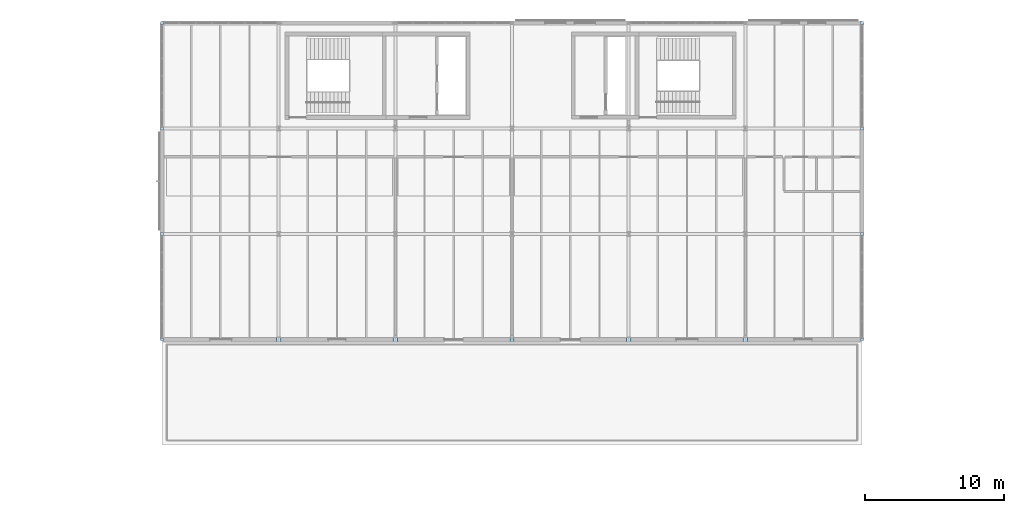
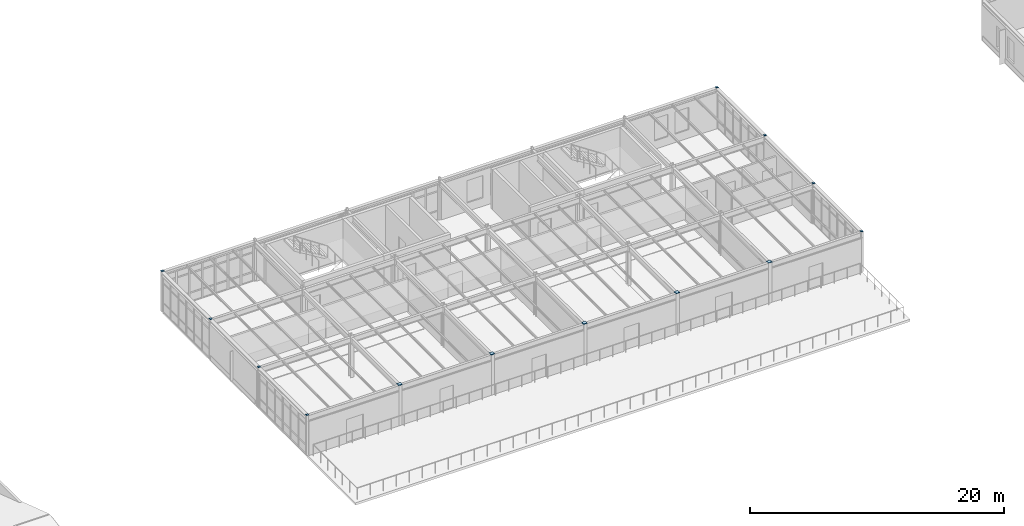
# One storey, part 47 of 65: 13 plates.
"""IFC4 building model written with IfcOpenShell, lengths in metres."""

from ifc_helpers import new_model, si_unit, direction, frame, origin, origin_2d, place, context, subcontext, project, spatial, rectangle, extrude, material, layer, layer_set, type_object, element, save


model = new_model("IFC4")

# Units and contexts
model_context = context("Model", 3, precision=1e-05, world=origin(), true_north=direction((0.0, 1.0)))
body_context = subcontext(model_context, "Body", "Model", "MODEL_VIEW")
ifc_project = project(units=[si_unit("LENGTHUNIT", "METRE"), si_unit("AREAUNIT", "SQUARE_METRE"), si_unit("VOLUMEUNIT", "CUBIC_METRE"), si_unit("PLANEANGLEUNIT", "RADIAN"), si_unit("MASSUNIT", "GRAM", prefix="KILO")], contexts=[model_context])

# Site, building, storey
site_placement = place(None, origin())
site = spatial("IfcSite", under=ifc_project, at=site_placement, CompositionType="ELEMENT")
building_placement = place(site_placement, origin())
building = spatial("IfcBuilding", under=site, at=building_placement, Name="Montecoro Central Library", CompositionType="ELEMENT")
storey_placement = place(building_placement, frame((0.0, 0.0, 17.340087890625)))
storey = spatial("IfcBuildingStorey", under=building, at=storey_placement, Name="L04", CompositionType="ELEMENT", Elevation=17.340087890625)

# Plates
ifc_material = material(Name="Steel S355", Category="steel")
ifc_layer = layer(ifc_material, 0.01611328125)
ifc_layer_set = layer_set([ifc_layer], Name="Steel S355")
plate_type = type_object("IfcPlateType", Name="PLT-CAP-16", PredefinedType="SHEET", material=ifc_layer_set)
for number, where, z_axis, x_axis, name in (
    (1, (66.39990234375, 96.199951171875, 3.874755859375), (0.0, 0.0, 1.0), (1.0, 0.0, 0.0), "V2-L04-CAPPL-9-N"),
    (2, (66.39990234375, 103.800048828125, 3.874755859375), (0.0, 0.0, 1.0), (1.0, 0.0, 0.0), "V2-L04-CAPPL-9-P"),
    (3, (66.39990234375, 111.39990234375, 3.874755859375), (0.0, 0.0, 1.0), (1.0, 0.0, 0.0), "V2-L04-CAPPL-9-Q"),
    (4, (66.39990234375, 119.0, 3.874755859375), (0.0, 0.0, 1.0), (1.0, 0.0, 0.0), "V2-L04-CAPPL-9-R"),
):
    element("IfcPlate", number, at=place(storey_placement, frame(where, z_axis=z_axis, x_axis=x_axis)), inside=storey, type_object=plate_type, Name=name, PredefinedType="SHEET", context=body_context, shape_type="SweptSolid", body=[
        extrude(rectangle(XDim=0.199951171875, YDim=0.199951171875, at=origin_2d()), origin(), (0.0, 0.0, 1.0), 0.01611328125),
    ])
for number, where, z_axis, x_axis, name in (
    (5, (74.800048828125, 96.199951171875, 3.874755859375), (0.0, 0.0, 1.0), (1.0, 0.0, 0.0), "V2-L04-CAPPL-10-N"),
    (6, (83.199951171875, 96.199951171875, 3.874755859375), (0.0, 0.0, 1.0), (1.0, 0.0, 0.0), "V2-L04-CAPPL-11-N"),
    (7, (91.60009765625, 96.199951171875, 3.874755859375), (0.0, 0.0, 1.0), (1.0, 0.0, 0.0), "V2-L04-CAPPL-12-N"),
    (8, (100.0, 96.199951171875, 3.874755859375), (0.0, 0.0, 1.0), (1.0, 0.0, 0.0), "V2-L04-CAPPL-13-N"),
    (9, (108.39990234375, 96.199951171875, 3.874755859375), (0.0, 0.0, 1.0), (1.0, 0.0, 0.0), "V2-L04-CAPPL-14-N"),
):
    element("IfcPlate", number, at=place(storey_placement, frame(where, z_axis=z_axis, x_axis=x_axis)), inside=storey, type_object=plate_type, Name=name, PredefinedType="SHEET", context=body_context, shape_type="SweptSolid", body=[
        extrude(rectangle(XDim=0.320068359375, YDim=0.320068359375, at=origin_2d()), origin(), (0.0, 0.0, 1.0), 0.01611328125),
    ])
for number, where, z_axis, x_axis, name in (
    (10, (116.800048828125, 96.199951171875, 3.874755859375), (0.0, 0.0, 1.0), (1.0, 0.0, 0.0), "V2-L04-CAPPL-15-N"),
    (11, (116.800048828125, 103.800048828125, 3.874755859375), (0.0, 0.0, 1.0), (1.0, 0.0, 0.0), "V2-L04-CAPPL-15-P"),
    (12, (116.800048828125, 111.39990234375, 3.874755859375), (0.0, 0.0, 1.0), (1.0, 0.0, 0.0), "V2-L04-CAPPL-15-Q"),
    (13, (116.800048828125, 119.0, 3.874755859375), (0.0, 0.0, 1.0), (1.0, 0.0, 0.0), "V2-L04-CAPPL-15-R"),
):
    element("IfcPlate", number, at=place(storey_placement, frame(where, z_axis=z_axis, x_axis=x_axis)), inside=storey, type_object=plate_type, Name=name, PredefinedType="SHEET", context=body_context, shape_type="SweptSolid", body=[
        extrude(rectangle(XDim=0.199951171875, YDim=0.199951171875, at=origin_2d()), origin(), (0.0, 0.0, 1.0), 0.01611328125),
    ])

save(model, "model.ifc")
